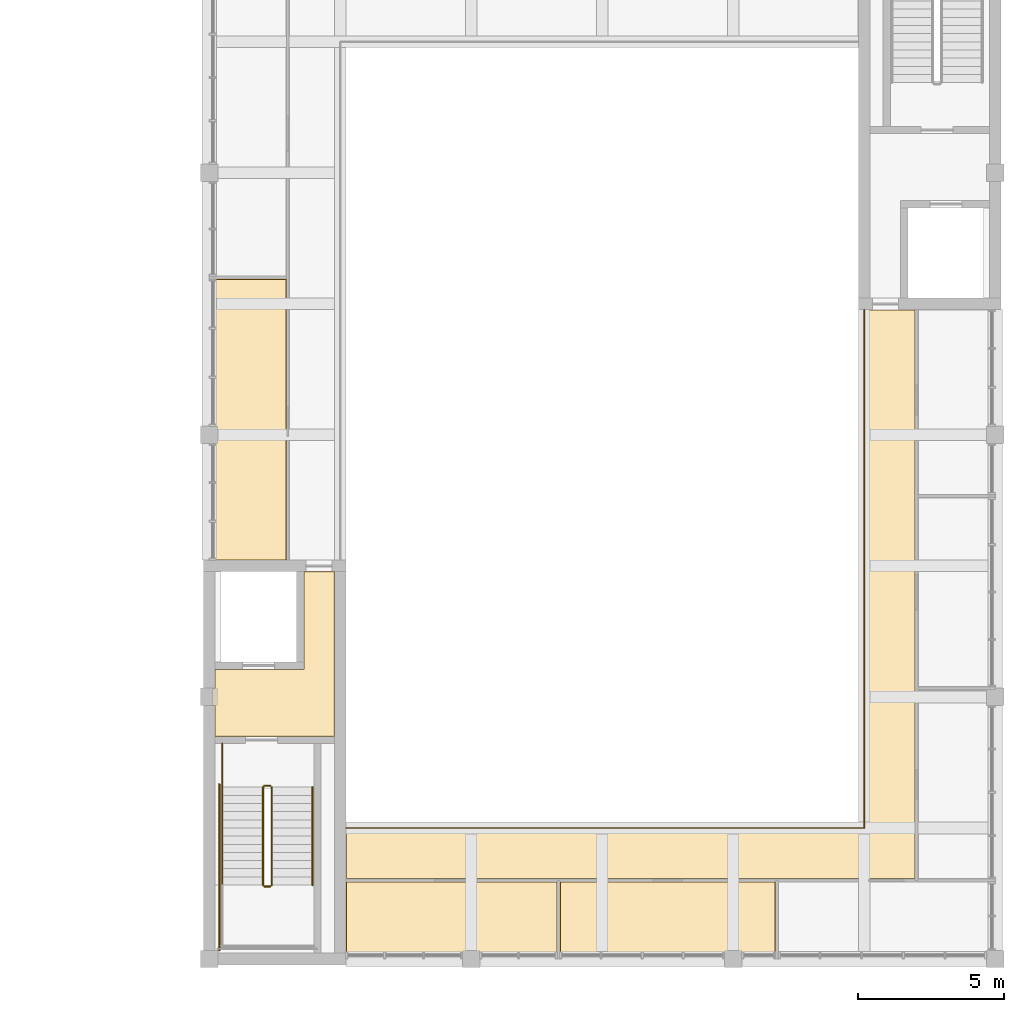
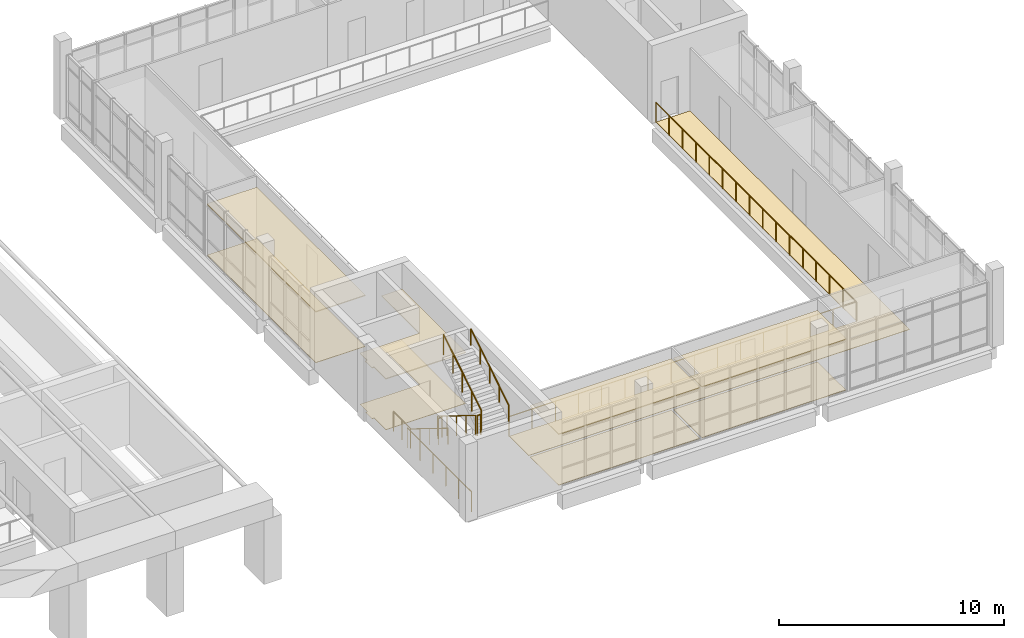
# One storey, part 70 of 92: 9 coverings, 9 railings.
"""IFC4 building model written with IfcOpenShell, lengths in metres."""

from ifc_helpers import new_model, si_unit, direction, frame, origin, origin_2d, place, context, subcontext, project, spatial, polyline, circle, outline, extrude, material, layer, layer_set, type_object, element, save


model = new_model("IFC4")

# Units and contexts
model_context = context("Model", 3, precision=1e-05, world=origin(), true_north=direction((0.0, 1.0)))
body_context = subcontext(model_context, "Body", "Model", "MODEL_VIEW")
ifc_project = project(units=[si_unit("LENGTHUNIT", "METRE"), si_unit("AREAUNIT", "SQUARE_METRE"), si_unit("VOLUMEUNIT", "CUBIC_METRE"), si_unit("PLANEANGLEUNIT", "RADIAN"), si_unit("MASSUNIT", "GRAM", prefix="KILO")], contexts=[model_context])

# Site, building, storey
site_placement = place(None, origin())
site = spatial("IfcSite", under=ifc_project, at=site_placement, CompositionType="ELEMENT")
building_placement = place(site_placement, origin())
building = spatial("IfcBuilding", under=site, at=building_placement, Name="Merrow Basin Faculty of Sciences", CompositionType="ELEMENT")
storey_placement = place(building_placement, frame((0.0, 0.0, 4.5)))
storey = spatial("IfcBuildingStorey", under=building, at=storey_placement, Name="L01", CompositionType="ELEMENT", Elevation=4.5)

# Coverings
ifc_material_1 = material(Name="Carpet tile floor")
ifc_layer_1 = layer(ifc_material_1, 0.02001953125)
ifc_layer_set_1 = layer_set([ifc_layer_1], Name="Carpet tile floor")
covering_type_1 = type_object("IfcCoveringType", Name="Carpet tile floor", PredefinedType="FLOORING", material=ifc_layer_set_1)
covering_1_placement = place(storey_placement, origin())
element("IfcCovering", 1, at=covering_1_placement, inside=storey, type_object=covering_type_1, Name="Floor finish L01-A-007", PredefinedType="FLOORING", context=body_context, shape_type="SweptSolid", body=[
    extrude(outline(polyline([(49.7099609375, 0.110107421875), (49.7099609375, 2.639892578125), (56.93994140625, 2.639892578125), (56.93994140625, 0.110107421875), (49.7099609375, 0.110107421875)])), origin(), (0.0, 0.0, 1.0), 0.02001953125),
])
covering_2_placement = place(storey_placement, origin())
element("IfcCovering", 2, at=covering_2_placement, inside=storey, type_object=covering_type_1, Name="Floor finish L01-A-008", PredefinedType="FLOORING", context=body_context, shape_type="SweptSolid", body=[
    extrude(outline(polyline([(57.06005859375, 0.110107421875), (57.06005859375, 2.639892578125), (64.43994140625, 2.639892578125), (64.43994140625, 0.110107421875), (57.06005859375, 0.110107421875)])), origin(), (0.0, 0.0, 1.0), 0.02001953125),
])
covering_3_placement = place(storey_placement, origin())
element("IfcCovering", 3, at=covering_3_placement, inside=storey, type_object=covering_type_1, Name="Floor finish L01-A-018", PredefinedType="FLOORING", context=body_context, shape_type="SweptSolid", body=[
    extrude(outline(polyline([(45.110107421875, 23.340087890625), (47.639892578125, 23.340087890625), (47.639892578125, 13.7099609375), (45.110107421875, 13.7099609375), (45.110107421875, 23.340087890625)])), origin(), (0.0, 0.0, 1.0), 0.02001953125),
])
covering_4_placement = place(storey_placement, origin())
element("IfcCovering", 4, at=covering_4_placement, inside=storey, type_object=covering_type_1, Name="Floor finish L01-A-021", PredefinedType="FLOORING", context=body_context, shape_type="SweptSolid", body=[
    extrude(outline(polyline([(67.510009765625, 4.489990234375), (67.510009765625, 22.2900390625), (69.239990234375, 22.2900390625), (69.239990234375, 2.760009765625), (49.7099609375, 2.760009765625), (49.7099609375, 4.489990234375), (67.510009765625, 4.489990234375)])), origin(), (0.0, 0.0, 1.0), 0.02001953125),
])
ifc_material_2 = material(Name="Polished terrazzo floor")
ifc_layer_2 = layer(ifc_material_2, 0.02001953125)
ifc_layer_set_2 = layer_set([ifc_layer_2], Name="Polished terrazzo floor")
covering_type_2 = type_object("IfcCoveringType", Name="Polished terrazzo floor", PredefinedType="FLOORING", material=ifc_layer_set_2)
covering_5_placement = place(storey_placement, origin())
element("IfcCovering", 5, at=covering_5_placement, inside=storey, type_object=covering_type_2, Name="Floor finish L01-A-003", PredefinedType="FLOORING", context=body_context, shape_type="SweptSolid", body=[
    extrude(outline(polyline([(45.110107421875, 9.2900390625), (45.2099609375, 9.2900390625), (45.2099609375, 9.93994140625), (48.260009765625, 9.93994140625), (48.260009765625, 13.2900390625), (49.2900390625, 13.2900390625), (49.2900390625, 7.659912109375), (45.2099609375, 7.659912109375), (45.2099609375, 8.7099609375), (45.110107421875, 8.7099609375), (45.110107421875, 9.2900390625)])), origin(), (0.0, 0.0, 1.0), 0.02001953125),
])

# Railings
ifc_material_3 = material(Name="Steel ASTM A36", Category="steel")
railing_type_1 = type_object("IfcRailingType", Name="Steel guard 1100", PredefinedType="GUARDRAIL", material=ifc_material_3)
railing_1_placement = place(storey_placement, frame((46.85009765625, 5.89990234375, 0.173095703125)))
element("IfcRailing", 6, at=railing_1_placement, inside=storey, type_object=railing_type_1, Name="L01 ST-V3-W stair guard 1", PredefinedType="GUARDRAIL", context=body_context, shape_type="SweptSolid", body=[
    extrude(circle(Radius=0.02392578125, at=origin_2d()), frame((0.0, 0.0, 1.076171875), z_axis=(0.0, -0.850606129759, 0.525803396734), x_axis=(1.0, 0.0, 0.0)), (0.0, 0.0, 1.0), 3.949951171875),
    extrude(circle(Radius=0.02099609375, at=origin_2d()), origin(), (0.0, 0.0, 1.0), 1.052001953125),
    extrude(circle(Radius=0.02099609375, at=origin_2d()), frame((0.0, -0.83984375, 0.519287109375)), (0.0, 0.0, 1.0), 1.052001953125),
    extrude(circle(Radius=0.02099609375, at=origin_2d()), frame((0.0, -1.679931640625, 1.03857421875)), (0.0, 0.0, 1.0), 1.052001953125),
    extrude(circle(Radius=0.02099609375, at=origin_2d()), frame((0.0, -2.52001953125, 1.5576171875)), (0.0, 0.0, 1.0), 1.052001953125),
    extrude(circle(Radius=0.02099609375, at=origin_2d()), frame((0.0, -3.35986328125, 2.076904296875)), (0.0, 0.0, 1.0), 1.052001953125),
])
railing_2_placement = place(storey_placement, frame((46.89990234375, 2.489990234375, 2.25)))
element("IfcRailing", 7, at=railing_2_placement, inside=storey, type_object=railing_type_1, Name="L01 ST-V3-W stair guard 2", PredefinedType="GUARDRAIL", context=body_context, shape_type="SweptSolid", body=[
    extrude(circle(Radius=0.02392578125, at=origin_2d()), frame((0.0, 0.0, 1.076171875), z_axis=(1.0, 0.0, 0.0), x_axis=(0.0, 1.0, 0.0)), (0.0, 0.0, 1.0), 0.2001953125),
    extrude(circle(Radius=0.02099609375, at=origin_2d()), origin(), (0.0, 0.0, 1.0), 1.052001953125),
    extrude(circle(Radius=0.02099609375, at=origin_2d()), frame((0.2001953125, 0.0, 0.0)), (0.0, 0.0, 1.0), 1.052001953125),
])
railing_3_placement = place(storey_placement, frame((47.14990234375, 2.5400390625, 2.423095703125)))
element("IfcRailing", 8, at=railing_3_placement, inside=storey, type_object=railing_type_1, Name="L01 ST-V3-W stair guard 5", PredefinedType="GUARDRAIL", context=body_context, shape_type="SweptSolid", body=[
    extrude(circle(Radius=0.02392578125, at=origin_2d()), frame((0.0, 0.0, 1.076171875), z_axis=(0.0, 0.850606129759, 0.525803396734), x_axis=(-1.0, 0.0, 0.0)), (0.0, 0.0, 1.0), 3.949951171875),
    extrude(circle(Radius=0.02099609375, at=origin_2d()), origin(), (0.0, 0.0, 1.0), 1.052001953125),
    extrude(circle(Radius=0.02099609375, at=origin_2d()), frame((0.0, 0.83984375, 0.519287109375)), (0.0, 0.0, 1.0), 1.052001953125),
    extrude(circle(Radius=0.02099609375, at=origin_2d()), frame((0.0, 1.679931640625, 1.03857421875)), (0.0, 0.0, 1.0), 1.052001953125),
    extrude(circle(Radius=0.02099609375, at=origin_2d()), frame((0.0, 2.52001953125, 1.5576171875)), (0.0, 0.0, 1.0), 1.052001953125),
    extrude(circle(Radius=0.02099609375, at=origin_2d()), frame((0.0, 3.35986328125, 2.076904296875)), (0.0, 0.0, 1.0), 1.052001953125),
])
railing_4_placement = place(storey_placement, frame((46.89990234375, 5.949951171875, 0.0)))
element("IfcRailing", 9, at=railing_4_placement, inside=storey, type_object=railing_type_1, Name="L01 ST-V3-W stair guard 6", PredefinedType="GUARDRAIL", context=body_context, shape_type="SweptSolid", body=[
    extrude(circle(Radius=0.02392578125, at=origin_2d()), frame((0.0, 0.0, 1.076171875), z_axis=(1.0, 0.0, 0.0), x_axis=(0.0, 1.0, 0.0)), (0.0, 0.0, 1.0), 0.2001953125),
    extrude(circle(Radius=0.02099609375, at=origin_2d()), origin(), (0.0, 0.0, 1.0), 1.052001953125),
    extrude(circle(Radius=0.02099609375, at=origin_2d()), frame((0.2001953125, 0.0, 0.0)), (0.0, 0.0, 1.0), 1.052001953125),
])
railing_5_placement = place(storey_placement, frame((45.449951171875, 7.39990234375, 0.0)))
element("IfcRailing", 10, at=railing_5_placement, inside=storey, type_object=railing_type_1, Name="L01 ST-V3-W stair guard 7", PredefinedType="GUARDRAIL", context=body_context, shape_type="SweptSolid", body=[
    extrude(circle(Radius=0.02392578125, at=origin_2d()), frame((0.0, 0.0, 1.076171875), z_axis=(0.0, -1.0, 0.0), x_axis=(1.0, 0.0, 0.0)), (0.0, 0.0, 1.0), 1.5),
    extrude(circle(Radius=0.02099609375, at=origin_2d()), origin(), (0.0, 0.0, 1.0), 1.052001953125),
    extrude(circle(Radius=0.02099609375, at=origin_2d()), frame((0.0, -0.75, 0.0)), (0.0, 0.0, 1.0), 1.052001953125),
    extrude(circle(Radius=0.02099609375, at=origin_2d()), frame((0.0, -1.5, 0.0)), (0.0, 0.0, 1.0), 1.052001953125),
])
railing_6_placement = place(storey_placement, frame((45.35009765625, 6.0, 0.0)))
element("IfcRailing", 11, at=railing_6_placement, inside=storey, type_object=railing_type_1, Name="L01 ST-V3-W stair guard 8", PredefinedType="GUARDRAIL", context=body_context, shape_type="SweptSolid", body=[
    extrude(circle(Radius=0.02392578125, at=origin_2d()), frame((0.0, 0.0, 1.076171875), z_axis=(0.0, -1.0, 0.0), x_axis=(1.0, 0.0, 0.0)), (0.0, 0.0, 1.0), 5.699951171875),
    extrude(circle(Radius=0.02099609375, at=origin_2d()), origin(), (0.0, 0.0, 1.0), 1.052001953125),
    extrude(circle(Radius=0.02099609375, at=origin_2d()), frame((0.0, -1.139892578125, 0.0)), (0.0, 0.0, 1.0), 1.052001953125),
    extrude(circle(Radius=0.02099609375, at=origin_2d()), frame((0.0, -2.280029296875, 0.0)), (0.0, 0.0, 1.0), 1.052001953125),
    extrude(circle(Radius=0.02099609375, at=origin_2d()), frame((0.0, -3.419921875, 0.0)), (0.0, 0.0, 1.0), 1.052001953125),
    extrude(circle(Radius=0.02099609375, at=origin_2d()), frame((0.0, -4.56005859375, 0.0)), (0.0, 0.0, 1.0), 1.052001953125),
    extrude(circle(Radius=0.02099609375, at=origin_2d()), frame((0.0, -5.699951171875, 0.0)), (0.0, 0.0, 1.0), 1.052001953125),
])
railing_7_placement = place(storey_placement, frame((67.5, 22.300048828125, 0.0)))
element("IfcRailing", 12, at=railing_7_placement, inside=storey, type_object=railing_type_1, Name="Gallery guard L01", PredefinedType="GUARDRAIL", context=body_context, shape_type="SweptSolid", body=[
    extrude(circle(Radius=0.02392578125, at=origin_2d()), frame((0.0, 0.0, 1.076171875), z_axis=(0.0, -1.0, 0.0), x_axis=(1.0, 0.0, 0.0)), (0.0, 0.0, 1.0), 17.800048828125),
    extrude(circle(Radius=0.02392578125, at=origin_2d()), frame((0.0, -17.800048828125, 1.076171875), z_axis=(-1.0, 0.0, 0.0), x_axis=(0.0, -1.0, 0.0)), (0.0, 0.0, 1.0), 17.800048828125),
    extrude(circle(Radius=0.02099609375, at=origin_2d()), origin(), (0.0, 0.0, 1.0), 1.052001953125),
    extrude(circle(Radius=0.02099609375, at=origin_2d()), frame((0.0, -1.186767578125, 0.0)), (0.0, 0.0, 1.0), 1.052001953125),
    extrude(circle(Radius=0.02099609375, at=origin_2d()), frame((0.0, -2.373291015625, 0.0)), (0.0, 0.0, 1.0), 1.052001953125),
    extrude(circle(Radius=0.02099609375, at=origin_2d()), frame((0.0, -3.56005859375, 0.0)), (0.0, 0.0, 1.0), 1.052001953125),
    extrude(circle(Radius=0.02099609375, at=origin_2d()), frame((0.0, -4.74658203125, 0.0)), (0.0, 0.0, 1.0), 1.052001953125),
    extrude(circle(Radius=0.02099609375, at=origin_2d()), frame((0.0, -5.933349609375, 0.0)), (0.0, 0.0, 1.0), 1.052001953125),
    extrude(circle(Radius=0.02099609375, at=origin_2d()), frame((0.0, -7.1201171875, 0.0)), (0.0, 0.0, 1.0), 1.052001953125),
    extrude(circle(Radius=0.02099609375, at=origin_2d()), frame((0.0, -8.306640625, 0.0)), (0.0, 0.0, 1.0), 1.052001953125),
    extrude(circle(Radius=0.02099609375, at=origin_2d()), frame((0.0, -9.493408203125, 0.0)), (0.0, 0.0, 1.0), 1.052001953125),
    extrude(circle(Radius=0.02099609375, at=origin_2d()), frame((0.0, -10.679931640625, 0.0)), (0.0, 0.0, 1.0), 1.052001953125),
    extrude(circle(Radius=0.02099609375, at=origin_2d()), frame((0.0, -11.86669921875, 0.0)), (0.0, 0.0, 1.0), 1.052001953125),
    extrude(circle(Radius=0.02099609375, at=origin_2d()), frame((0.0, -13.053466796875, 0.0)), (0.0, 0.0, 1.0), 1.052001953125),
    extrude(circle(Radius=0.02099609375, at=origin_2d()), frame((0.0, -14.239990234375, 0.0)), (0.0, 0.0, 1.0), 1.052001953125),
    extrude(circle(Radius=0.02099609375, at=origin_2d()), frame((0.0, -15.4267578125, 0.0)), (0.0, 0.0, 1.0), 1.052001953125),
    extrude(circle(Radius=0.02099609375, at=origin_2d()), frame((0.0, -16.61328125, 0.0)), (0.0, 0.0, 1.0), 1.052001953125),
    extrude(circle(Radius=0.02099609375, at=origin_2d()), frame((0.0, -17.800048828125, 0.0)), (0.0, 0.0, 1.0), 1.052001953125),
    extrude(circle(Radius=0.02099609375, at=origin_2d()), frame((-1.186767578125, -17.800048828125, 0.0)), (0.0, 0.0, 1.0), 1.052001953125),
    extrude(circle(Radius=0.02099609375, at=origin_2d()), frame((-2.373291015625, -17.800048828125, 0.0)), (0.0, 0.0, 1.0), 1.052001953125),
    extrude(circle(Radius=0.02099609375, at=origin_2d()), frame((-3.56005859375, -17.800048828125, 0.0)), (0.0, 0.0, 1.0), 1.052001953125),
    extrude(circle(Radius=0.02099609375, at=origin_2d()), frame((-4.74658203125, -17.800048828125, 0.0)), (0.0, 0.0, 1.0), 1.052001953125),
    extrude(circle(Radius=0.02099609375, at=origin_2d()), frame((-5.933349609375, -17.800048828125, 0.0)), (0.0, 0.0, 1.0), 1.052001953125),
    extrude(circle(Radius=0.02099609375, at=origin_2d()), frame((-7.1201171875, -17.800048828125, 0.0)), (0.0, 0.0, 1.0), 1.052001953125),
    extrude(circle(Radius=0.02099609375, at=origin_2d()), frame((-8.306640625, -17.800048828125, 0.0)), (0.0, 0.0, 1.0), 1.052001953125),
    extrude(circle(Radius=0.02099609375, at=origin_2d()), frame((-9.493408203125, -17.800048828125, 0.0)), (0.0, 0.0, 1.0), 1.052001953125),
    extrude(circle(Radius=0.02099609375, at=origin_2d()), frame((-10.679931640625, -17.800048828125, 0.0)), (0.0, 0.0, 1.0), 1.052001953125),
    extrude(circle(Radius=0.02099609375, at=origin_2d()), frame((-11.86669921875, -17.800048828125, 0.0)), (0.0, 0.0, 1.0), 1.052001953125),
    extrude(circle(Radius=0.02099609375, at=origin_2d()), frame((-13.053466796875, -17.800048828125, 0.0)), (0.0, 0.0, 1.0), 1.052001953125),
    extrude(circle(Radius=0.02099609375, at=origin_2d()), frame((-14.239990234375, -17.800048828125, 0.0)), (0.0, 0.0, 1.0), 1.052001953125),
    extrude(circle(Radius=0.02099609375, at=origin_2d()), frame((-15.4267578125, -17.800048828125, 0.0)), (0.0, 0.0, 1.0), 1.052001953125),
    extrude(circle(Radius=0.02099609375, at=origin_2d()), frame((-16.61328125, -17.800048828125, 0.0)), (0.0, 0.0, 1.0), 1.052001953125),
    extrude(circle(Radius=0.02099609375, at=origin_2d()), frame((-17.800048828125, -17.800048828125, 0.0)), (0.0, 0.0, 1.0), 1.052001953125),
])
ifc_material_4 = material(Name="Steel ASTM A36", Category="steel")
railing_type_2 = type_object("IfcRailingType", Name="Steel handrail 900", PredefinedType="HANDRAIL", material=ifc_material_4)
railing_8_placement = place(storey_placement, frame((45.449951171875, 5.89990234375, 0.173095703125)))
element("IfcRailing", 13, at=railing_8_placement, inside=storey, type_object=railing_type_2, Name="L01 ST-V3-W stair handrail 1", PredefinedType="HANDRAIL", context=body_context, shape_type="SweptSolid", body=[
    extrude(circle(Radius=0.02392578125, at=origin_2d()), frame((0.0, 0.0, 0.8759765625), z_axis=(0.0, -0.850606129759, 0.525803396734), x_axis=(1.0, 0.0, 0.0)), (0.0, 0.0, 1.0), 3.949951171875),
    extrude(circle(Radius=0.02099609375, at=origin_2d()), origin(), (0.0, 0.0, 1.0), 0.851806640625),
    extrude(circle(Radius=0.02099609375, at=origin_2d()), frame((0.0, -0.83984375, 0.519287109375)), (0.0, 0.0, 1.0), 0.851806640625),
    extrude(circle(Radius=0.02099609375, at=origin_2d()), frame((0.0, -1.679931640625, 1.03857421875)), (0.0, 0.0, 1.0), 0.851806640625),
    extrude(circle(Radius=0.02099609375, at=origin_2d()), frame((0.0, -2.52001953125, 1.5576171875)), (0.0, 0.0, 1.0), 0.851806640625),
    extrude(circle(Radius=0.02099609375, at=origin_2d()), frame((0.0, -3.35986328125, 2.076904296875)), (0.0, 0.0, 1.0), 0.851806640625),
])
railing_9_placement = place(storey_placement, frame((48.550048828125, 2.5400390625, 2.423095703125)))
element("IfcRailing", 14, at=railing_9_placement, inside=storey, type_object=railing_type_2, Name="L01 ST-V3-W stair handrail 2", PredefinedType="HANDRAIL", context=body_context, shape_type="SweptSolid", body=[
    extrude(circle(Radius=0.02392578125, at=origin_2d()), frame((0.0, 0.0, 0.8759765625), z_axis=(0.0, 0.850606129759, 0.525803396734), x_axis=(-1.0, 0.0, 0.0)), (0.0, 0.0, 1.0), 3.949951171875),
    extrude(circle(Radius=0.02099609375, at=origin_2d()), origin(), (0.0, 0.0, 1.0), 0.851806640625),
    extrude(circle(Radius=0.02099609375, at=origin_2d()), frame((0.0, 0.83984375, 0.519287109375)), (0.0, 0.0, 1.0), 0.851806640625),
    extrude(circle(Radius=0.02099609375, at=origin_2d()), frame((0.0, 1.679931640625, 1.03857421875)), (0.0, 0.0, 1.0), 0.851806640625),
    extrude(circle(Radius=0.02099609375, at=origin_2d()), frame((0.0, 2.52001953125, 1.5576171875)), (0.0, 0.0, 1.0), 0.851806640625),
    extrude(circle(Radius=0.02099609375, at=origin_2d()), frame((0.0, 3.35986328125, 2.076904296875)), (0.0, 0.0, 1.0), 0.851806640625),
])

# Coverings
ifc_material_5 = material(Name="Mineral fibre ceiling tile")
ifc_layer_3 = layer(ifc_material_5, 0.050048828125)
ifc_layer_set_3 = layer_set([ifc_layer_3], Name="Suspended acoustic ceiling tile")
covering_type_3 = type_object("IfcCoveringType", Name="Suspended acoustic ceiling tile", PredefinedType="CEILING", material=ifc_layer_set_3)
covering_6_placement = place(storey_placement, frame((0.0, 0.0, 2.75)))
element("IfcCovering", 15, at=covering_6_placement, inside=storey, type_object=covering_type_3, Name="Ceiling L01-A-003", PredefinedType="CEILING", context=body_context, shape_type="SweptSolid", body=[
    extrude(outline(polyline([(45.10009765625, 9.300048828125), (45.199951171875, 9.300048828125), (45.199951171875, 9.949951171875), (48.25, 9.949951171875), (48.25, 13.300048828125), (49.300048828125, 13.300048828125), (49.300048828125, 7.64990234375), (45.199951171875, 7.64990234375), (45.199951171875, 8.699951171875), (45.10009765625, 8.699951171875), (45.10009765625, 9.300048828125)])), origin(), (0.0, 0.0, 1.0), 0.050048828125),
])
covering_7_placement = place(storey_placement, frame((0.0, 0.0, 2.75)))
element("IfcCovering", 16, at=covering_7_placement, inside=storey, type_object=covering_type_3, Name="Ceiling L01-A-007", PredefinedType="CEILING", context=body_context, shape_type="SweptSolid", body=[
    extrude(outline(polyline([(49.699951171875, 0.10009765625), (49.699951171875, 2.64990234375), (56.949951171875, 2.64990234375), (56.949951171875, 0.10009765625), (49.699951171875, 0.10009765625)])), origin(), (0.0, 0.0, 1.0), 0.050048828125),
])
covering_8_placement = place(storey_placement, frame((0.0, 0.0, 2.75)))
element("IfcCovering", 17, at=covering_8_placement, inside=storey, type_object=covering_type_3, Name="Ceiling L01-A-008", PredefinedType="CEILING", context=body_context, shape_type="SweptSolid", body=[
    extrude(outline(polyline([(57.050048828125, 0.10009765625), (57.050048828125, 2.64990234375), (64.449951171875, 2.64990234375), (64.449951171875, 0.10009765625), (57.050048828125, 0.10009765625)])), origin(), (0.0, 0.0, 1.0), 0.050048828125),
])
covering_9_placement = place(storey_placement, frame((0.0, 0.0, 2.75)))
element("IfcCovering", 18, at=covering_9_placement, inside=storey, type_object=covering_type_3, Name="Ceiling L01-A-018", PredefinedType="CEILING", context=body_context, shape_type="SweptSolid", body=[
    extrude(outline(polyline([(45.10009765625, 23.35009765625), (47.64990234375, 23.35009765625), (47.64990234375, 13.699951171875), (45.10009765625, 13.699951171875), (45.10009765625, 23.35009765625)])), origin(), (0.0, 0.0, 1.0), 0.050048828125),
])

save(model, "model.ifc")
